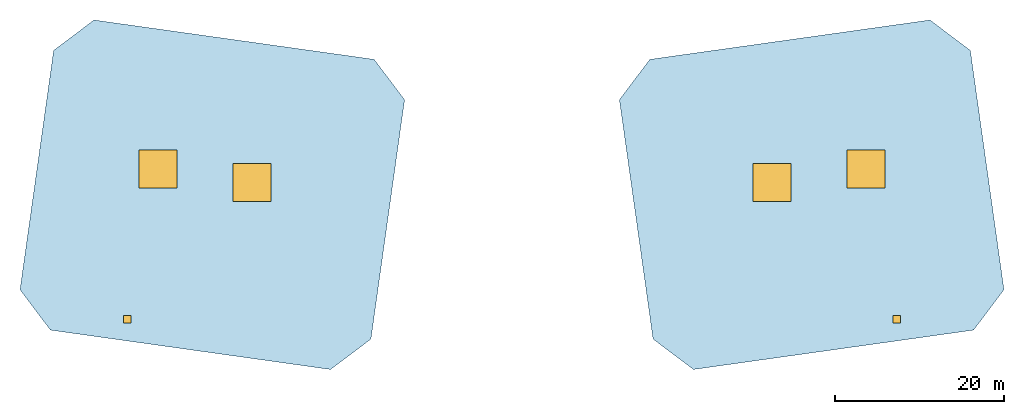
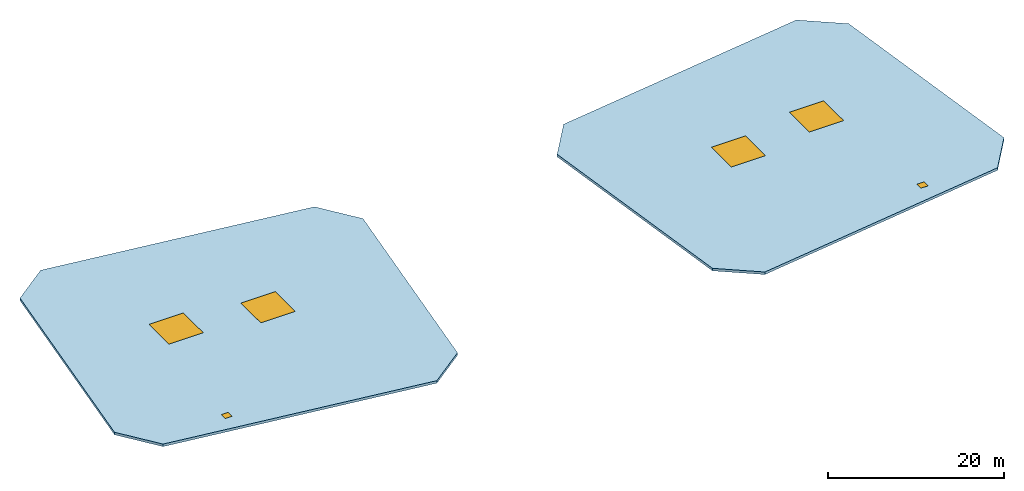
"""IFC4 building model written with IfcOpenShell, lengths in metres."""

from ifc_helpers import new_model, si_unit, direction, frame, origin, origin_2d, place, context, subcontext, project, spatial, polyline, rectangle, outline, extrude, material, layer, layer_set, type_object, element, fill, save


model = new_model("IFC4")

# Units and contexts
model_context = context("Model", 3, precision=1e-05, world=origin(), true_north=direction((0.0, 1.0)))
body_context = subcontext(model_context, "Body", "Model", "MODEL_VIEW")
ifc_project = project(units=[si_unit("LENGTHUNIT", "METRE"), si_unit("AREAUNIT", "SQUARE_METRE"), si_unit("VOLUMEUNIT", "CUBIC_METRE"), si_unit("PLANEANGLEUNIT", "RADIAN"), si_unit("MASSUNIT", "GRAM", prefix="KILO")], contexts=[model_context])

# Site, building, storey
site_placement = place(None, origin())
site = spatial("IfcSite", under=ifc_project, at=site_placement, CompositionType="ELEMENT")
building_placement = place(site_placement, origin())
building = spatial("IfcBuilding", under=site, at=building_placement, Name="Mirante Cascada Hotel Towers", CompositionType="ELEMENT")
storey_1_placement = place(building_placement, frame((0.0, 0.0, 298.05)))
storey_1 = spatial("IfcBuildingStorey", under=building, at=storey_1_placement, Name="Top of crown", CompositionType="ELEMENT", Elevation=298.05)

# Slab, openings
ifc_material_1 = material(Name="Concrete C40/50", Category="concrete")
ifc_layer = layer(ifc_material_1, 0.35)
ifc_layer_set = layer_set([ifc_layer], Name="Roof slab 350 Concrete C40/50")
slab_type = type_object("IfcSlabType", Name="Roof slab 350 Concrete C40/50", PredefinedType="ROOF", material=ifc_layer_set)
slab_1_placement = place(storey_1_placement, origin())
slab_1 = element("IfcSlab", 1, at=slab_1_placement, inside=storey_1, type_object=slab_type, Name="Crown roof cap T1", PredefinedType="ROOF", context=body_context, shape_type="SweptSolid", body=[
    extrude(outline(polyline([(-21.4918, -21.928), (-16.7071, -18.3225), (-12.7229, 10.0261), (-16.3285, 14.8109), (-49.5148, 19.4749), (-54.2995, 15.8694), (-58.2837, -12.4793), (-54.6781, -17.264), (-21.4918, -21.928)]), holes=[polyline([(-28.5718, -2.0139), (-33.0718, -2.0139), (-33.0718, 2.4861), (-28.5718, 2.4861), (-28.5718, -2.0139)]), polyline([(-39.7123, -0.4482), (-44.2123, -0.4482), (-44.2123, 4.0518), (-39.7123, 4.0518), (-39.7123, -0.4482)]), polyline([(-45.1454, -16.4155), (-46.0454, -16.4155), (-46.0454, -15.5155), (-45.1454, -15.5155), (-45.1454, -16.4155)])]), origin(), (0.0, 0.0, 1.0), 0.35),
])
opening_1_placement = place(slab_1_placement, frame((-30.8218, 0.2361, 0.0)))
opening_1 = element("IfcOpeningElement", 2, at=opening_1_placement, cuts=slab_1, Name="Opening EWN3-1-1", PredefinedType="OPENING", context=body_context, shape_type="SweptSolid", body=[
    extrude(rectangle(XDim=4.5, YDim=4.5, at=origin_2d()), origin(), (0.0, 0.0, 1.0), 0.35),
])
opening_2_placement = place(slab_1_placement, frame((-41.9623, 1.8018, 0.0)))
opening_2 = element("IfcOpeningElement", 3, at=opening_2_placement, cuts=slab_1, Name="Opening EWN3-1-2", PredefinedType="OPENING", context=body_context, shape_type="SweptSolid", body=[
    extrude(rectangle(XDim=4.5, YDim=4.5, at=origin_2d()), origin(), (0.0, 0.0, 1.0), 0.35),
])
opening_3_placement = place(slab_1_placement, frame((-45.5954, -15.9655, 0.0)))
opening_3 = element("IfcOpeningElement", 4, at=opening_3_placement, cuts=slab_1, Name="Opening DH-1-01", PredefinedType="OPENING", context=body_context, shape_type="SweptSolid", body=[
    extrude(rectangle(XDim=0.9, YDim=0.9, at=origin_2d()), origin(), (0.0, 0.0, 1.0), 0.35),
])

# Storey
storey_2_placement = place(building_placement, frame((0.0, 0.0, 269.8)))
storey_2 = spatial("IfcBuildingStorey", under=building, at=storey_2_placement, Name="Roof garden", CompositionType="ELEMENT", Elevation=269.8)

# Window
ifc_material_2 = material(Name="Aluminium frame with clear laminated glazing", Category="aluminium")
window_type = type_object("IfcWindowType", Name="Atrium rooflight 4500x4500", PartitioningType="SINGLE_PANEL", PredefinedType="SKYLIGHT", material=ifc_material_2)
window_1_placement = place(opening_1_placement, frame((0.0, 0.0, 0.3)))
window_1 = element("IfcWindow", 5, at=window_1_placement, inside=storey_2, type_object=window_type, Name="Atrium rooflight T1 1", OverallHeight=4.5, OverallWidth=4.5, PartitioningType="SINGLE_PANEL", PredefinedType="SKYLIGHT", context=body_context, shape_type="SweptSolid", body=[
    extrude(rectangle(XDim=4.5, YDim=4.5, at=origin_2d()), origin(), (0.0, 0.0, 1.0), 0.05),
])

fill(opening_1, window_1)

window_2_placement = place(opening_2_placement, frame((0.0, 0.0, 0.3)))
window_2 = element("IfcWindow", 6, at=window_2_placement, inside=storey_2, type_object=window_type, Name="Atrium rooflight T1 2", OverallHeight=4.5, OverallWidth=4.5, PartitioningType="SINGLE_PANEL", PredefinedType="SKYLIGHT", context=body_context, shape_type="SweptSolid", body=[
    extrude(rectangle(XDim=4.5, YDim=4.5, at=origin_2d()), origin(), (0.0, 0.0, 1.0), 0.05),
])

fill(opening_2, window_2)

# Door
ifc_material_3 = material(Name="Galvanised steel hatch with insulated lid", Category="steel")
door_type = type_object("IfcDoorType", Name="Roof access hatch 900x900", OperationType="SINGLE_SWING_LEFT", PredefinedType="TRAPDOOR", material=ifc_material_3)
door_1_placement = place(opening_3_placement, frame((0.0, 0.0, 0.3)))
door_1 = element("IfcDoor", 7, at=door_1_placement, inside=storey_2, type_object=door_type, Name="Crown roof hatch T1", OperationType="SINGLE_SWING_LEFT", OverallHeight=0.9, OverallWidth=0.9, PredefinedType="TRAPDOOR", context=body_context, shape_type="SweptSolid", body=[
    extrude(rectangle(XDim=0.9, YDim=0.9, at=origin_2d()), origin(), (0.0, 0.0, 1.0), 0.05),
])

fill(opening_3, door_1)

# Slab, openings, windows, door
slab_2_placement = place(storey_1_placement, origin())
slab_2 = element("IfcSlab", 8, at=slab_2_placement, inside=storey_1, type_object=slab_type, Name="Crown roof cap T2", PredefinedType="ROOF", context=body_context, shape_type="SweptSolid", body=[
    extrude(outline(polyline([(21.4918, -21.928), (16.7071, -18.3225), (12.7229, 10.0261), (16.3285, 14.8109), (49.5148, 19.4749), (54.2995, 15.8694), (58.2837, -12.4793), (54.6781, -17.264), (21.4918, -21.928)]), holes=[polyline([(33.0718, -2.0139), (28.5718, -2.0139), (28.5718, 2.4861), (33.0718, 2.4861), (33.0718, -2.0139)]), polyline([(44.2123, -0.4482), (39.7123, -0.4482), (39.7123, 4.0518), (44.2123, 4.0518), (44.2123, -0.4482)]), polyline([(46.0454, -16.4155), (45.1454, -16.4155), (45.1454, -15.5155), (46.0454, -15.5155), (46.0454, -16.4155)])]), origin(), (0.0, 0.0, 1.0), 0.35),
])
opening_4_placement = place(slab_2_placement, frame((30.8218, 0.2361, 0.0)))
opening_4 = element("IfcOpeningElement", 9, at=opening_4_placement, cuts=slab_2, Name="Opening EWN3-2-1", PredefinedType="OPENING", context=body_context, shape_type="SweptSolid", body=[
    extrude(rectangle(XDim=4.5, YDim=4.5, at=origin_2d()), origin(), (0.0, 0.0, 1.0), 0.35),
])
opening_5_placement = place(slab_2_placement, frame((41.9623, 1.8018, 0.0)))
opening_5 = element("IfcOpeningElement", 10, at=opening_5_placement, cuts=slab_2, Name="Opening EWN3-2-2", PredefinedType="OPENING", context=body_context, shape_type="SweptSolid", body=[
    extrude(rectangle(XDim=4.5, YDim=4.5, at=origin_2d()), origin(), (0.0, 0.0, 1.0), 0.35),
])
opening_6_placement = place(slab_2_placement, frame((45.5954, -15.9655, 0.0)))
opening_6 = element("IfcOpeningElement", 11, at=opening_6_placement, cuts=slab_2, Name="Opening DH-2-01", PredefinedType="OPENING", context=body_context, shape_type="SweptSolid", body=[
    extrude(rectangle(XDim=0.9, YDim=0.9, at=origin_2d()), origin(), (0.0, 0.0, 1.0), 0.35),
])
window_3_placement = place(opening_4_placement, frame((0.0, 0.0, 0.3)))
window_3 = element("IfcWindow", 12, at=window_3_placement, inside=storey_2, type_object=window_type, Name="Atrium rooflight T2 1", OverallHeight=4.5, OverallWidth=4.5, PartitioningType="SINGLE_PANEL", PredefinedType="SKYLIGHT", context=body_context, shape_type="SweptSolid", body=[
    extrude(rectangle(XDim=4.5, YDim=4.5, at=origin_2d()), origin(), (0.0, 0.0, 1.0), 0.05),
])
fill(opening_4, window_3)
window_4_placement = place(opening_5_placement, frame((0.0, 0.0, 0.3)))
window_4 = element("IfcWindow", 13, at=window_4_placement, inside=storey_2, type_object=window_type, Name="Atrium rooflight T2 2", OverallHeight=4.5, OverallWidth=4.5, PartitioningType="SINGLE_PANEL", PredefinedType="SKYLIGHT", context=body_context, shape_type="SweptSolid", body=[
    extrude(rectangle(XDim=4.5, YDim=4.5, at=origin_2d()), origin(), (0.0, 0.0, 1.0), 0.05),
])
fill(opening_5, window_4)
door_2_placement = place(opening_6_placement, frame((0.0, 0.0, 0.3)))
door_2 = element("IfcDoor", 14, at=door_2_placement, inside=storey_2, type_object=door_type, Name="Crown roof hatch T2", OperationType="SINGLE_SWING_LEFT", OverallHeight=0.9, OverallWidth=0.9, PredefinedType="TRAPDOOR", context=body_context, shape_type="SweptSolid", body=[
    extrude(rectangle(XDim=0.9, YDim=0.9, at=origin_2d()), origin(), (0.0, 0.0, 1.0), 0.05),
])
fill(opening_6, door_2)

save(model, "model.ifc")
